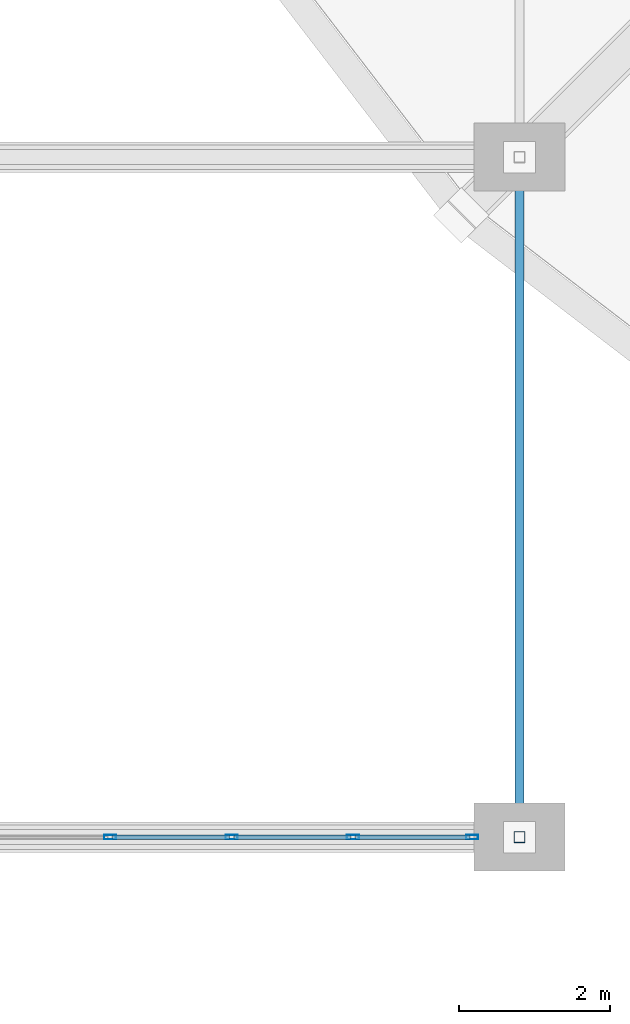
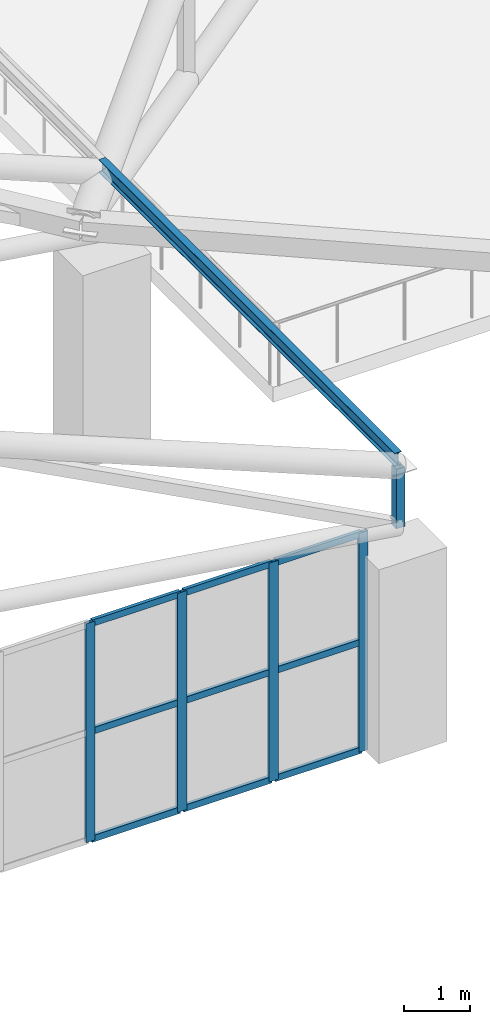
# One storey, part 17 of 167: 15 members, 1 element without a shape of its own.
"""IFC4 building model written with IfcOpenShell, lengths in metres."""

from ifc_helpers import new_model, si_unit, direction, frame, origin, origin_2d, place, context, subcontext, project, spatial, hollow_rectangle, i_section, extrude, material, layer, layer_set, material_profile, profile_set, type_object, element, aggregate, save


model = new_model("IFC4")

# Units and contexts
model_context = context("Model", 3, precision=1e-05, world=origin(), true_north=direction((0.0, 1.0)))
body_context = subcontext(model_context, "Body", "Model", "MODEL_VIEW")
ifc_project = project(units=[si_unit("LENGTHUNIT", "METRE"), si_unit("AREAUNIT", "SQUARE_METRE"), si_unit("VOLUMEUNIT", "CUBIC_METRE"), si_unit("PLANEANGLEUNIT", "RADIAN"), si_unit("MASSUNIT", "GRAM", prefix="KILO")], contexts=[model_context])

# Site, building, storey
site_placement = place(None, origin())
site = spatial("IfcSite", under=ifc_project, at=site_placement, CompositionType="ELEMENT")
building_placement = place(site_placement, origin())
building = spatial("IfcBuilding", under=site, at=building_placement, Name="Dornveld Trade and Exhibition Forum", CompositionType="ELEMENT")
storey_placement = place(building_placement, frame((0.0, 0.0, 16.800048828125)))
storey = spatial("IfcBuildingStorey", under=building, at=storey_placement, Name="L03", CompositionType="ELEMENT", Elevation=16.800048828125)

# Curtain wall, members
ifc_material_1 = material(Name="Dark-bronze anodised aluminium and low-E glass", Category="aluminium")
ifc_layer = layer(ifc_material_1, 0.156982421875)
ifc_layer_set = layer_set([ifc_layer], Name="Dark-bronze anodised aluminium and low-E glass")
curtain_wall_type = type_object("IfcCurtainWallType", Name="CW-SYS-05", PredefinedType="USERDEFINED", material=ifc_layer_set)
curtain_wall_placement = place(storey_placement, origin())
curtain_wall = element("IfcCurtainWall", 1, at=curtain_wall_placement, inside=storey, type_object=curtain_wall_type, Name="L03 unitised curtain wall 41", ObjectType="UNITISED_CURTAIN_WALL", PredefinedType="USERDEFINED")
ifc_material_2 = material(Name="Dark-bronze anodised aluminium", Category="aluminium")
ifc_material_profile_1 = material_profile(ifc_material_2, hollow_rectangle(XDim=0.06005859375, YDim=0.159912109375, WallThickness=0.00390625, at=origin_2d()), Name="RHS 160x60x4")
ifc_profile_set_1 = profile_set([ifc_material_profile_1], Name="Dark-bronze anodised aluminium")
member_type_1 = type_object("IfcMemberType", Name="CW-MUL-160", PredefinedType="MULLION", material=ifc_profile_set_1)
member_1_placement = place(storey_placement, frame((75.584228515625, 36.0, -0.004150390625), z_axis=(0.0, 0.0, 1.0), x_axis=(0.0, 1.0, 0.0)))
member_1 = element("IfcMember", 2, at=member_1_placement, type_object=member_type_1, Name="CW-05 mullion 3", PredefinedType="MULLION", context=body_context, shape_type="SweptSolid", body=[
    extrude(hollow_rectangle(XDim=0.06005859375, YDim=0.159912109375, WallThickness=0.00390625, at=origin_2d()), origin(), (0.0, 0.0, 1.0), 4.064208984375),
])
member_2_placement = place(storey_placement, frame((77.19091796875, 36.0, -0.004150390625), z_axis=(0.0, 0.0, 1.0), x_axis=(0.0, 1.0, 0.0)))
member_2 = element("IfcMember", 3, at=member_2_placement, type_object=member_type_1, Name="CW-05 mullion 4", PredefinedType="MULLION", context=body_context, shape_type="SweptSolid", body=[
    extrude(hollow_rectangle(XDim=0.06005859375, YDim=0.159912109375, WallThickness=0.00390625, at=origin_2d()), origin(), (0.0, 0.0, 1.0), 4.064208984375),
])
member_3_placement = place(storey_placement, frame((78.79736328125, 36.0, -0.004150390625), z_axis=(0.0, 0.0, 1.0), x_axis=(0.0, 1.0, 0.0)))
member_3 = element("IfcMember", 4, at=member_3_placement, type_object=member_type_1, Name="CW-05 mullion 5", PredefinedType="MULLION", context=body_context, shape_type="SweptSolid", body=[
    extrude(hollow_rectangle(XDim=0.06005859375, YDim=0.159912109375, WallThickness=0.00390625, at=origin_2d()), origin(), (0.0, 0.0, 1.0), 4.064208984375),
])
member_4_placement = place(storey_placement, frame((80.3740234375, 36.0, -0.004150390625), z_axis=(0.0, 0.0, 1.0), x_axis=(0.0, 1.0, 0.0)))
member_4 = element("IfcMember", 5, at=member_4_placement, type_object=member_type_1, Name="CW-05 mullion 6", PredefinedType="MULLION", context=body_context, shape_type="SweptSolid", body=[
    extrude(hollow_rectangle(XDim=0.06005859375, YDim=0.159912109375, WallThickness=0.00390625, at=origin_2d()), origin(), (0.0, 0.0, 1.0), 4.064208984375),
])
ifc_material_3 = material(Name="Dark-bronze anodised aluminium", Category="aluminium")
ifc_material_profile_2 = material_profile(ifc_material_3, hollow_rectangle(XDim=0.06005859375, YDim=0.1201171875, WallThickness=0.00390625, at=origin_2d()), Name="RHS 120x60x4")
ifc_profile_set_2 = profile_set([ifc_material_profile_2], Name="Dark-bronze anodised aluminium")
member_type_2 = type_object("IfcMemberType", Name="CW-TRN-120", PredefinedType="USERDEFINED", material=ifc_profile_set_2)
member_5_placement = place(storey_placement, frame((75.6142578125, 36.0, 0.02587890625), z_axis=(1.0, 0.0, 0.0), x_axis=(0.0, 1.0, 0.0)))
member_5 = element("IfcMember", 6, at=member_5_placement, type_object=member_type_2, Name="CW-05 transom 3.1", ObjectType="TRANSOM", PredefinedType="USERDEFINED", context=body_context, shape_type="SweptSolid", body=[
    extrude(hollow_rectangle(XDim=0.06005859375, YDim=0.1201171875, WallThickness=0.00390625, at=origin_2d()), origin(), (0.0, 0.0, 1.0), 1.546630859375),
])
member_6_placement = place(storey_placement, frame((75.6142578125, 36.0, 2.02783203125), z_axis=(1.0, 0.0, 0.0), x_axis=(0.0, 1.0, 0.0)))
member_6 = element("IfcMember", 7, at=member_6_placement, type_object=member_type_2, Name="CW-05 transom 3.2", ObjectType="TRANSOM", PredefinedType="USERDEFINED", context=body_context, shape_type="SweptSolid", body=[
    extrude(hollow_rectangle(XDim=0.06005859375, YDim=0.1201171875, WallThickness=0.00390625, at=origin_2d()), origin(), (0.0, 0.0, 1.0), 1.546630859375),
])
member_7_placement = place(storey_placement, frame((75.6142578125, 36.0, 4.030029296875), z_axis=(1.0, 0.0, 0.0), x_axis=(0.0, 1.0, 0.0)))
member_7 = element("IfcMember", 8, at=member_7_placement, type_object=member_type_2, Name="CW-05 transom 3.3", ObjectType="TRANSOM", PredefinedType="USERDEFINED", context=body_context, shape_type="SweptSolid", body=[
    extrude(hollow_rectangle(XDim=0.06005859375, YDim=0.1201171875, WallThickness=0.00390625, at=origin_2d()), origin(), (0.0, 0.0, 1.0), 1.546630859375),
])
member_8_placement = place(storey_placement, frame((77.220703125, 36.0, 0.02587890625), z_axis=(1.0, 0.0, 0.0), x_axis=(0.0, 1.0, 0.0)))
member_8 = element("IfcMember", 9, at=member_8_placement, type_object=member_type_2, Name="CW-05 transom 4.1", ObjectType="TRANSOM", PredefinedType="USERDEFINED", context=body_context, shape_type="SweptSolid", body=[
    extrude(hollow_rectangle(XDim=0.06005859375, YDim=0.1201171875, WallThickness=0.00390625, at=origin_2d()), origin(), (0.0, 0.0, 1.0), 1.546630859375),
])
member_9_placement = place(storey_placement, frame((77.220703125, 36.0, 2.02783203125), z_axis=(1.0, 0.0, 0.0), x_axis=(0.0, 1.0, 0.0)))
member_9 = element("IfcMember", 10, at=member_9_placement, type_object=member_type_2, Name="CW-05 transom 4.2", ObjectType="TRANSOM", PredefinedType="USERDEFINED", context=body_context, shape_type="SweptSolid", body=[
    extrude(hollow_rectangle(XDim=0.06005859375, YDim=0.1201171875, WallThickness=0.00390625, at=origin_2d()), origin(), (0.0, 0.0, 1.0), 1.546630859375),
])
member_10_placement = place(storey_placement, frame((77.220703125, 36.0, 4.030029296875), z_axis=(1.0, 0.0, 0.0), x_axis=(0.0, 1.0, 0.0)))
member_10 = element("IfcMember", 11, at=member_10_placement, type_object=member_type_2, Name="CW-05 transom 4.3", ObjectType="TRANSOM", PredefinedType="USERDEFINED", context=body_context, shape_type="SweptSolid", body=[
    extrude(hollow_rectangle(XDim=0.06005859375, YDim=0.1201171875, WallThickness=0.00390625, at=origin_2d()), origin(), (0.0, 0.0, 1.0), 1.546630859375),
])
member_11_placement = place(storey_placement, frame((78.827392578125, 36.0, 0.02587890625), z_axis=(1.0, 0.0, 0.0), x_axis=(0.0, 1.0, 0.0)))
member_11 = element("IfcMember", 12, at=member_11_placement, type_object=member_type_2, Name="CW-05 transom 5.1", ObjectType="TRANSOM", PredefinedType="USERDEFINED", context=body_context, shape_type="SweptSolid", body=[
    extrude(hollow_rectangle(XDim=0.06005859375, YDim=0.1201171875, WallThickness=0.00390625, at=origin_2d()), origin(), (0.0, 0.0, 1.0), 1.5166015625),
])
member_12_placement = place(storey_placement, frame((78.827392578125, 36.0, 2.02783203125), z_axis=(1.0, 0.0, 0.0), x_axis=(0.0, 1.0, 0.0)))
member_12 = element("IfcMember", 13, at=member_12_placement, type_object=member_type_2, Name="CW-05 transom 5.2", ObjectType="TRANSOM", PredefinedType="USERDEFINED", context=body_context, shape_type="SweptSolid", body=[
    extrude(hollow_rectangle(XDim=0.06005859375, YDim=0.1201171875, WallThickness=0.00390625, at=origin_2d()), origin(), (0.0, 0.0, 1.0), 1.5166015625),
])
member_13_placement = place(storey_placement, frame((78.827392578125, 36.0, 4.030029296875), z_axis=(1.0, 0.0, 0.0), x_axis=(0.0, 1.0, 0.0)))
member_13 = element("IfcMember", 14, at=member_13_placement, type_object=member_type_2, Name="CW-05 transom 5.3", ObjectType="TRANSOM", PredefinedType="USERDEFINED", context=body_context, shape_type="SweptSolid", body=[
    extrude(hollow_rectangle(XDim=0.06005859375, YDim=0.1201171875, WallThickness=0.00390625, at=origin_2d()), origin(), (0.0, 0.0, 1.0), 1.5166015625),
])
aggregate(curtain_wall, [member_1, member_2, member_3, member_4, member_5, member_6, member_7, member_8, member_9, member_10, member_11, member_12, member_13])

# Members
ifc_material_4 = material(Name="Steel S355J2", Category="steel")
ifc_material_profile_3 = material_profile(ifc_material_4, hollow_rectangle(XDim=0.14990234375, YDim=0.14990234375, WallThickness=0.008056640625, at=origin_2d()), Name="SHS 150x150x8")
ifc_profile_set_3 = profile_set([ifc_material_profile_3], Name="Steel S355J2")
member_type_3 = type_object("IfcMemberType", Name="MEM-ARCH-STR", PredefinedType="STRUT", material=ifc_profile_set_3)
member_14_placement = place(storey_placement, frame((81.0, 36.0, 3.949951171875), z_axis=(0.0, 0.0, 1.0), x_axis=(1.0, 0.0, 0.0)))
element("IfcMember", 15, at=member_14_placement, inside=storey, type_object=member_type_3, Name="H3 truss 1 end strut", PredefinedType="STRUT", context=body_context, shape_type="SweptSolid", body=[
    extrude(hollow_rectangle(XDim=0.14990234375, YDim=0.14990234375, WallThickness=0.008056640625, at=origin_2d()), origin(), (0.0, 0.0, 1.0), 1.10009765625),
])
ifc_material_5 = material(Name="Steel S355J2", Category="steel")
ifc_material_profile_4 = material_profile(ifc_material_5, i_section(OverallWidth=0.1201171875, OverallDepth=0.239990234375, WebThickness=0.006103515625, FlangeThickness=0.009765625, FilletRadius=0.014892578125, at=origin_2d()), Name="IPE 240")
ifc_profile_set_4 = profile_set([ifc_material_profile_4], Name="Steel S355J2")
member_type_4 = type_object("IfcMemberType", Name="MEM-PURLIN-240", PredefinedType="PURLIN", material=ifc_profile_set_4)
member_15_placement = place(storey_placement, frame((81.0, 36.0, 5.181884765625), z_axis=(0.0, 1.0, 0.0), x_axis=(-1.0, 0.0, 0.0)))
element("IfcMember", 16, at=member_15_placement, inside=storey, type_object=member_type_4, Name="H3 bay 1 roof purlin 7", PredefinedType="PURLIN", context=body_context, shape_type="SweptSolid", body=[
    extrude(i_section(OverallWidth=0.1201171875, OverallDepth=0.239990234375, WebThickness=0.006103515625, FlangeThickness=0.009765625, FilletRadius=0.014892578125, at=origin_2d()), origin(), (0.0, 0.0, 1.0), 9.0),
])

save(model, "model.ifc")
